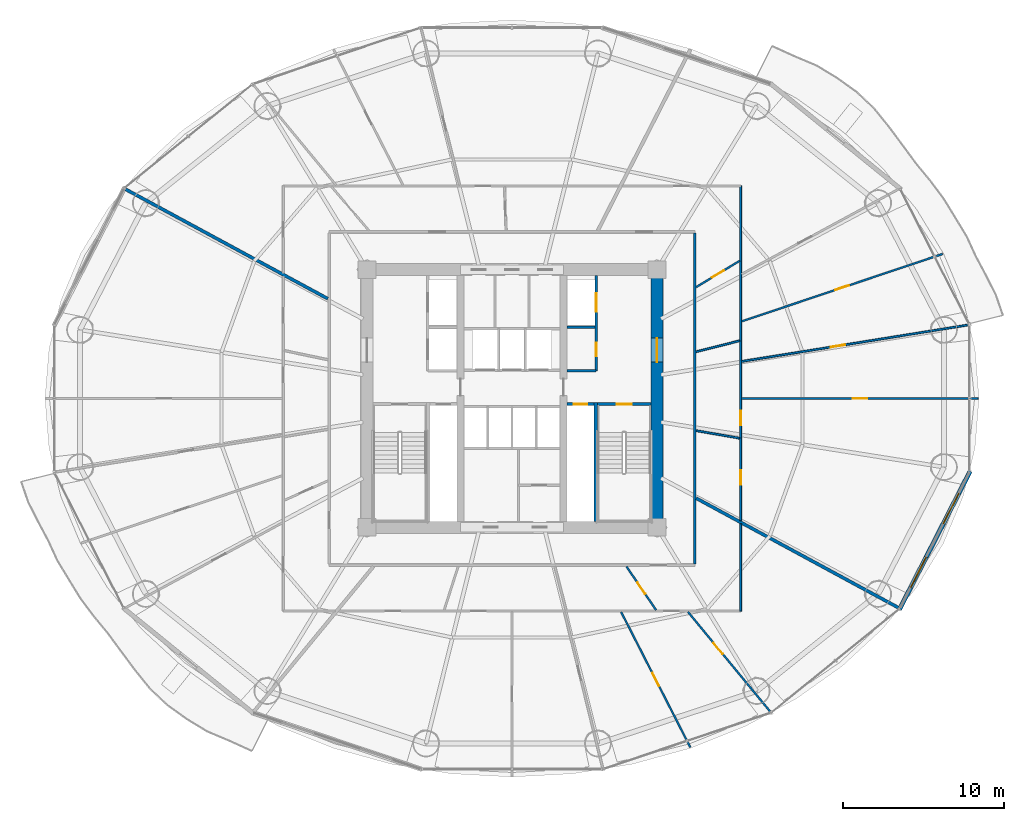
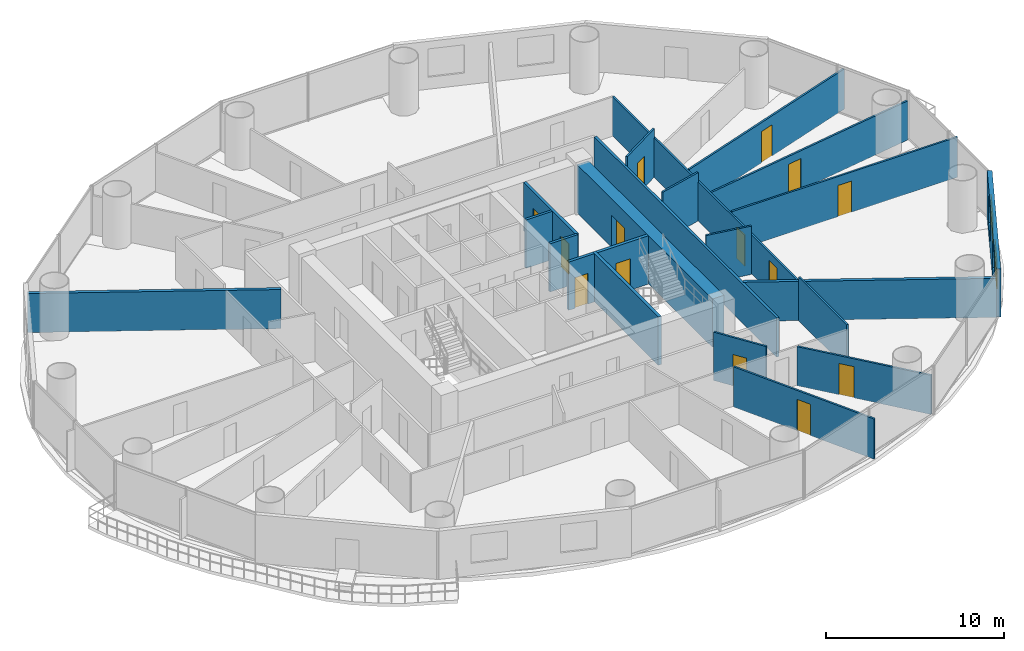
# One storey, part 24 of 29: 22 walls, 14 doors, 2 windows, 16 openings.
"""IFC4 building model written with IfcOpenShell, lengths in metres."""

from ifc_helpers import new_model, si_unit, direction, frame, frame_2d, origin, place, context, subcontext, project, spatial, rectangle, extrude, source, transform, mapped, material, layer, layer_set, type_object, element, fill, save


model = new_model("IFC4")

# Units and contexts
model_context = context("Model", 3, precision=1e-05, world=origin(), true_north=direction((-0.2419218956, 0.970295726276)))
body_context = subcontext(model_context, "Body", "Model", "MODEL_VIEW")
ifc_project = project(units=[si_unit("LENGTHUNIT", "METRE"), si_unit("AREAUNIT", "SQUARE_METRE"), si_unit("VOLUMEUNIT", "CUBIC_METRE"), si_unit("PLANEANGLEUNIT", "RADIAN"), si_unit("MASSUNIT", "GRAM", prefix="KILO")], contexts=[model_context])

# Site, building, storey
site_placement = place(None, origin())
site = spatial("IfcSite", under=ifc_project, at=site_placement, CompositionType="ELEMENT")
building_placement = place(site_placement, origin())
building = spatial("IfcBuilding", under=site, at=building_placement, Name="Cobrevalo Terracotta Tower", CompositionType="ELEMENT")
storey_placement = place(building_placement, frame((0.0, 0.0, 49.199951171875)))
storey = spatial("IfcBuildingStorey", under=building, at=storey_placement, Name="L12", CompositionType="ELEMENT", Elevation=49.199951171875)

# Wall, opening, door
ifc_material_1 = material(Name="Concrete C60", Category="concrete")
ifc_layer_1 = layer(ifc_material_1, 0.75)
ifc_layer_set_1 = layer_set([ifc_layer_1], Name="Concrete C60")
wall_type_1 = type_object("IfcWallType", Name="Core shear wall 750 mm Concrete C60", PredefinedType="SHEAR", material=ifc_layer_set_1)
wall_1_placement = place(storey_placement, frame((47.0, 19.175048828125, 0.0), z_axis=(0.0, 0.0, 1.0), x_axis=(0.0, 1.0, 0.0)))
wall_1 = element("IfcWall", 1, at=wall_1_placement, inside=storey, type_object=wall_type_1, Name="L12 east core shear wall", PredefinedType="SHEAR", context=body_context, shape_type="SweptSolid", body=[
    extrude(rectangle(XDim=15.25, YDim=0.75, at=frame_2d((7.625, 0.0))), origin(), (0.0, 0.0, 1.0), 3.320068359375),
])
opening_1_placement = place(wall_1_placement, frame((9.875, 0.0, 0.0)))
opening_1 = element("IfcOpeningElement", 2, at=opening_1_placement, cuts=wall_1, Name="Opening ID-14", PredefinedType="OPENING", context=body_context, shape_type="SweptSolid", body=[
    extrude(rectangle(XDim=1.5, YDim=2.199951171875, at=frame_2d((0.75, 1.10009765625))), frame((0.0, 0.385009765625, 0.0), z_axis=(0.0, -1.0, 0.0), x_axis=(1.0, 0.0, 0.0)), (0.0, 0.0, 1.0), 0.77001953125),
])
ifc_material_2 = material(Name="Galvanized fire-rated steel", Category="steel")
door_type_1 = type_object("IfcDoorType", Name="Core cross-lobby double fire door 1500x2200 EI 90", OperationType="NOTDEFINED", PredefinedType="DOOR", material=ifc_material_2)
shared_shape_1 = source(origin(), body_context, "Body", "SweptSolid", [
    extrude(rectangle(XDim=1.5, YDim=2.199951171875, at=frame_2d((0.75, 1.10009765625))), frame((0.0, 0.02490234375, 0.0), z_axis=(0.0, -1.0, 0.0), x_axis=(1.0, 0.0, 0.0)), (0.0, 0.0, 1.0), 0.050048828125),
])
door_1_placement = place(opening_1_placement, frame((1.5, 0.0, 0.0), z_axis=(0.0, 0.0, 1.0), x_axis=(-1.0, 0.0, 0.0)))
door_1 = element("IfcDoor", 3, at=door_1_placement, inside=storey, type_object=door_type_1, Name="L12 east firefighting lobby entrance door", OperationType="DOUBLE_DOOR_SINGLE_SWING", OverallHeight=2.199951171875, OverallWidth=1.5, PredefinedType="DOOR", context=body_context, shape_type="MappedRepresentation", body=[
    mapped(shared_shape_1, transform((0.0, 0.0, 0.0), scale=1.0)),
])
fill(opening_1, door_1)

# Walls
ifc_material_3 = material(Name="Gypsum board on steel stud", Category="steel")
ifc_layer_2 = layer(ifc_material_3, 0.159912109375)
ifc_layer_set_2 = layer_set([ifc_layer_2], Name="Gypsum board on steel stud")
wall_type_2 = type_object("IfcWallType", Name="Fire-rated corridor acoustic partition wall 160 mm", PredefinedType="PARTITIONING", material=ifc_layer_set_2)
wall_2_placement = place(storey_placement, frame((41.425048828125, 31.219970703125, 0.0), z_axis=(0.0, 0.0, 1.0), x_axis=(1.0, 0.0, 0.0)))
element("IfcWall", 4, at=wall_2_placement, inside=storey, type_object=wall_type_2, Name="L12 interior partition IW-L12-FF2-M", PredefinedType="PARTITIONING", context=body_context, shape_type="SweptSolid", body=[
    extrude(rectangle(XDim=1.71484375, YDim=0.159912109375, at=frame_2d((0.857421875, 0.0))), origin(), (0.0, 0.0, 1.0), 3.320068359375),
])
wall_3_placement = place(storey_placement, frame((41.425048828125, 28.52001953125, 0.0), z_axis=(0.0, 0.0, 1.0), x_axis=(1.0, 0.0, 0.0)))
element("IfcWall", 5, at=wall_3_placement, inside=storey, type_object=wall_type_2, Name="L12 interior partition IW-L12-FF2-S", PredefinedType="PARTITIONING", context=body_context, shape_type="SweptSolid", body=[
    extrude(rectangle(XDim=1.804931640625, YDim=0.159912109375, at=frame_2d((0.90234375, 0.0))), origin(), (0.0, 0.0, 1.0), 3.320068359375),
])
wall_4_placement = place(storey_placement, frame((49.35498046875, 16.52490234375, 0.0), z_axis=(0.0, 0.0, 1.0), x_axis=(0.0, 1.0, 0.0)))
element("IfcWall", 6, at=wall_4_placement, inside=storey, type_object=wall_type_2, Name="L12 interior partition IW-L12-COR-E", PredefinedType="PARTITIONING", context=body_context, shape_type="SweptSolid", body=[
    extrude(rectangle(XDim=20.550048828125, YDim=0.159912109375, at=frame_2d((10.27490234375, 0.0))), origin(), (0.0, 0.0, 1.0), 2.68798828125),
])

# Wall, opening, door
ifc_layer_3 = layer(ifc_material_3, 0.179931640625)
ifc_layer_set_3 = layer_set([ifc_layer_3], Name="Gypsum board on steel stud")
wall_type_3 = type_object("IfcWallType", Name="Fire-rated shaft & lobby acoustic partition wall 180 mm", PredefinedType="PARTITIONING", material=ifc_layer_set_3)
wall_5_placement = place(storey_placement, frame((41.425048828125, 26.449951171875, 0.0), z_axis=(0.0, 0.0, 1.0), x_axis=(1.0, 0.0, 0.0)))
wall_5 = element("IfcWall", 7, at=wall_5_placement, inside=storey, type_object=wall_type_3, Name="L12 interior partition IW-L12-RSE-N", PredefinedType="PARTITIONING", context=body_context, shape_type="SweptSolid", body=[
    extrude(rectangle(XDim=1.675048828125, YDim=0.179931640625, at=frame_2d((0.83740234375, 0.0))), origin(), (0.0, 0.0, 1.0), 3.320068359375),
])
opening_2_placement = place(wall_5_placement, frame((0.41259765625, 0.0, 0.0)))
opening_2 = element("IfcOpeningElement", 8, at=opening_2_placement, cuts=wall_5, Name="Opening ID-22", PredefinedType="OPENING", context=body_context, shape_type="SweptSolid", body=[
    extrude(rectangle(XDim=0.85009765625, YDim=2.10009765625, at=frame_2d((0.425048828125, 1.050048828125))), frame((0.0, 0.10009765625, 0.0), z_axis=(0.0, -1.0, 0.0), x_axis=(1.0, 0.0, 0.0)), (0.0, 0.0, 1.0), 0.199951171875),
])
ifc_material_4 = material(Name="Powder-coated steel", Category="steel")
door_type_2 = type_object("IfcDoorType", Name="Riser shaft & meter closet fire access door 850x2100 EI 60", OperationType="NOTDEFINED", PredefinedType="DOOR", material=ifc_material_4)
shared_shape_2 = source(origin(), body_context, "Body", "SweptSolid", [
    extrude(rectangle(XDim=0.85009765625, YDim=2.10009765625, at=frame_2d((0.425048828125, 1.050048828125))), frame((0.0, 0.02490234375, 0.0), z_axis=(0.0, -1.0, 0.0), x_axis=(1.0, 0.0, 0.0)), (0.0, 0.0, 1.0), 0.050048828125),
])
door_2_placement = place(opening_2_placement, origin())
door_2 = element("IfcDoor", 9, at=door_2_placement, inside=storey, type_object=door_type_2, Name="L12 riser access door RSE", OperationType="SINGLE_SWING_RIGHT", OverallHeight=2.10009765625, OverallWidth=0.85009765625, PredefinedType="DOOR", context=body_context, shape_type="MappedRepresentation", body=[
    mapped(shared_shape_2, transform((0.0, 0.0, 0.0), scale=1.0)),
])
fill(opening_2, door_2)

# Wall, openings, doors
wall_6_placement = place(storey_placement, frame((43.22998046875, 28.52001953125, 0.0), z_axis=(0.0, 0.0, 1.0), x_axis=(0.0, 1.0, 0.0)))
wall_6 = element("IfcWall", 10, at=wall_6_placement, inside=storey, type_object=wall_type_3, Name="L12 interior partition IW-L12-FF2-E", PredefinedType="PARTITIONING", context=body_context, shape_type="SweptSolid", body=[
    extrude(rectangle(XDim=5.905029296875, YDim=0.179931640625, at=frame_2d((2.95263671875, 0.0))), origin(), (0.0, 0.0, 1.0), 3.320068359375),
])
opening_3_placement = place(wall_6_placement, frame((0.905029296875, 0.0, 0.0)))
opening_3 = element("IfcOpeningElement", 11, at=opening_3_placement, cuts=wall_6, Name="Opening ID-22", PredefinedType="OPENING", context=body_context, shape_type="SweptSolid", body=[
    extrude(rectangle(XDim=0.85009765625, YDim=2.10009765625, at=frame_2d((0.425048828125, 1.050048828125))), frame((0.0, 0.10009765625, 0.0), z_axis=(0.0, -1.0, 0.0), x_axis=(1.0, 0.0, 0.0)), (0.0, 0.0, 1.0), 0.199951171875),
])
opening_4_placement = place(wall_6_placement, frame((3.655029296875, 0.0, 0.0)))
opening_4 = element("IfcOpeningElement", 12, at=opening_4_placement, cuts=wall_6, Name="Opening LD-02", PredefinedType="OPENING", context=body_context, shape_type="SweptSolid", body=[
    extrude(rectangle(XDim=1.14990234375, YDim=2.199951171875, at=frame_2d((0.574951171875, 1.10009765625))), frame((0.0, 0.10009765625, 0.0), z_axis=(0.0, -1.0, 0.0), x_axis=(1.0, 0.0, 0.0)), (0.0, 0.0, 1.0), 0.199951171875),
])
door_3_placement = place(opening_3_placement, frame((0.85009765625, 0.0, 0.0), z_axis=(0.0, 0.0, 1.0), x_axis=(-1.0, 0.0, 0.0)))
door_3 = element("IfcDoor", 13, at=door_3_placement, inside=storey, type_object=door_type_2, Name="L12 housekeeping store door", OperationType="SINGLE_SWING_RIGHT", OverallHeight=2.10009765625, OverallWidth=0.85009765625, PredefinedType="DOOR", context=body_context, shape_type="MappedRepresentation", body=[
    mapped(shared_shape_2, transform((0.0, 0.0, 0.0), scale=1.0)),
])
fill(opening_3, door_3)
ifc_material_5 = material(Name="Brushed stainless steel", Category="steel")
door_type_3 = type_object("IfcDoorType", Name="Firefighting lift landing bi-parting sliding door 1150x2200 EI 120", OperationType="DOUBLE_DOOR_SLIDING", PredefinedType="DOOR", material=ifc_material_5)
shared_shape_3 = source(origin(), body_context, "Body", "SweptSolid", [
    extrude(rectangle(XDim=1.14990234375, YDim=2.199951171875, at=frame_2d((0.574951171875, 1.10009765625))), frame((0.0, 0.02490234375, 0.0), z_axis=(0.0, -1.0, 0.0), x_axis=(1.0, 0.0, 0.0)), (0.0, 0.0, 1.0), 0.050048828125),
])
door_4_placement = place(opening_4_placement, origin())
door_4 = element("IfcDoor", 14, at=door_4_placement, inside=storey, type_object=door_type_3, Name="L12 lift landing door FF-2", OperationType="DOUBLE_DOOR_SLIDING", OverallHeight=2.199951171875, OverallWidth=1.14990234375, PredefinedType="DOOR", context=body_context, shape_type="MappedRepresentation", body=[
    mapped(shared_shape_3, transform((0.0, 0.0, 0.0), scale=1.0)),
])
fill(opening_4, door_4)

# Walls
ifc_material_6 = material(Name="Autoclaved aerated concrete block", Category="concrete")
ifc_layer_4 = layer(ifc_material_6, 0.199951171875)
ifc_layer_set_4 = layer_set([ifc_layer_4], Name="Autoclaved aerated concrete block")
wall_type_4 = type_object("IfcWallType", Name="Fire-rated stair, shaft & demising masonry wall 200 mm", PredefinedType="PARTITIONING", material=ifc_layer_set_4)
for number, where, z_axis, x_axis, name in (
    (15, (49.43505859375, 20.6083984375, 0.0), (0.0, 0.0, 1.0), (0.879369737803, -0.476139542819, 0.0), "L12 interior partition IW-L12-DEM-1"),
    (16, (26.56494140625, 32.991455078125, 0.0), (0.0, 0.0, 1.0), (-0.879369737803, 0.476139542819, 0.0), "L12 interior partition IW-L12-DEM-3"),
):
    element("IfcWall", number, at=place(storey_placement, frame(where, z_axis=z_axis, x_axis=x_axis)), inside=storey, type_object=wall_type_4, Name=name, PredefinedType="PARTITIONING", context=body_context, shape_type="SweptSolid", body=[
        extrude(rectangle(XDim=14.294921875, YDim=0.199951171875, at=frame_2d((7.1474609375, 0.0))), origin(), (0.0, 0.0, 1.0), 2.68798828125),
    ])

# Wall, openings, windows
ifc_layer_5 = layer(ifc_material_6, 0.280029296875)
ifc_layer_set_5 = layer_set([ifc_layer_5], Name="Autoclaved aerated concrete block")
wall_type_5 = type_object("IfcWallType", Name="Insulated tower spandrel & pier wall 280 mm with terracotta rainscreen", PredefinedType="SOLIDWALL", material=ifc_layer_set_5)
wall_7_placement = place(storey_placement, frame((62.05126953125, 13.689453125, 0.0), z_axis=(0.0, 0.0, 1.0), x_axis=(0.455220575541, 0.890378698984, 0.0)))
wall_7 = element("IfcWall", 17, at=wall_7_placement, inside=storey, type_object=wall_type_5, Name="L12 terracotta rainscreen pier wall S15", PredefinedType="SOLIDWALL", context=body_context, shape_type="SweptSolid", body=[
    extrude(rectangle(XDim=9.662109375, YDim=0.280029296875, at=frame_2d((4.8310546875, 0.0))), origin(), (0.0, 0.0, 1.0), 3.320068359375),
])
opening_5_placement = place(wall_7_placement, frame((1.558837890625, 0.0, 0.85009765625)))
opening_5 = element("IfcOpeningElement", 18, at=opening_5_placement, cuts=wall_7, Name="Opening WN-10", PredefinedType="OPENING", context=body_context, shape_type="SweptSolid", body=[
    extrude(rectangle(XDim=2.10009765625, YDim=1.949951171875, at=frame_2d((1.050048828125, 0.97509765625))), frame((0.0, 0.14990234375, 0.0), z_axis=(0.0, -1.0, 0.0), x_axis=(1.0, 0.0, 0.0)), (0.0, 0.0, 1.0), 0.300048828125),
])
opening_6_placement = place(wall_7_placement, frame((6.00341796875, 0.0, 0.85009765625)))
opening_6 = element("IfcOpeningElement", 19, at=opening_6_placement, cuts=wall_7, Name="Opening WN-10", PredefinedType="OPENING", context=body_context, shape_type="SweptSolid", body=[
    extrude(rectangle(XDim=2.10009765625, YDim=1.949951171875, at=frame_2d((1.050048828125, 0.97509765625))), frame((0.0, 0.14990234375, 0.0), z_axis=(0.0, -1.0, 0.0), x_axis=(1.0, 0.0, 0.0)), (0.0, 0.0, 1.0), 0.300048828125),
])
ifc_material_7 = material(Name="Solar-control low-E double glazing", Category="glass")
window_type = type_object("IfcWindowType", Name="Wide panoramic low-E aluminium window 2100x1950", PartitioningType="SINGLE_PANEL", PredefinedType="WINDOW", material=ifc_material_7)
shared_shape_4 = source(origin(), body_context, "Body", "SweptSolid", [
    extrude(rectangle(XDim=2.10009765625, YDim=1.949951171875, at=frame_2d((1.050048828125, 0.97509765625))), frame((0.0, 0.030029296875, 0.0), z_axis=(0.0, -1.0, 0.0), x_axis=(1.0, 0.0, 0.0)), (0.0, 0.0, 1.0), 0.06005859375),
])
window_1_placement = place(opening_5_placement, origin())
window_1 = element("IfcWindow", 20, at=window_1_placement, inside=storey, type_object=window_type, Name="L12 suite window S15A", OverallHeight=1.949951171875, OverallWidth=2.10009765625, PartitioningType="SINGLE_PANEL", PredefinedType="WINDOW", context=body_context, shape_type="MappedRepresentation", body=[
    mapped(shared_shape_4, transform((0.0, 0.0, 0.0), scale=1.0)),
])
fill(opening_5, window_1)
window_2_placement = place(opening_6_placement, origin())
window_2 = element("IfcWindow", 21, at=window_2_placement, inside=storey, type_object=window_type, Name="L12 suite window S15B", OverallHeight=1.949951171875, OverallWidth=2.10009765625, PartitioningType="SINGLE_PANEL", PredefinedType="WINDOW", context=body_context, shape_type="MappedRepresentation", body=[
    mapped(shared_shape_4, transform((0.0, 0.0, 0.0), scale=1.0)),
])
fill(opening_6, window_2)

# Wall, openings, doors
ifc_layer_6 = layer(ifc_material_3, 0.1201171875)
ifc_layer_set_6 = layer_set([ifc_layer_6], Name="Gypsum board on steel stud")
wall_type_6 = type_object("IfcWallType", Name="Residential internal acoustic stud partition 120 mm", PredefinedType="PARTITIONING", material=ifc_layer_set_6)
wall_8_placement = place(storey_placement, frame((52.195068359375, 39.9951171875, 0.0), z_axis=(0.0, 0.0, 1.0), x_axis=(0.0, -1.0, 0.0)))
wall_8 = element("IfcWall", 22, at=wall_8_placement, inside=storey, type_object=wall_type_6, Name="L12 interior partition IW-L12-U1-RING1_0", PredefinedType="PARTITIONING", context=body_context, shape_type="SweptSolid", body=[
    extrude(rectangle(XDim=20.779052734375, YDim=0.1201171875, at=frame_2d((10.3896484375, 0.0))), origin(), (0.0, 0.0, 1.0), 2.68798828125),
])
opening_7_placement = place(wall_8_placement, frame((13.944091796875, 0.0, 0.0)))
opening_7 = element("IfcOpeningElement", 23, at=opening_7_placement, cuts=wall_8, Name="Opening ID-12", PredefinedType="OPENING", context=body_context, shape_type="SweptSolid", body=[
    extrude(rectangle(XDim=0.89990234375, YDim=2.14990234375, at=frame_2d((0.449951171875, 1.074951171875))), frame((0.0, 0.070068359375, 0.0), z_axis=(0.0, -1.0, 0.0), x_axis=(1.0, 0.0, 0.0)), (0.0, 0.0, 1.0), 0.14013671875),
])
opening_8_placement = place(wall_8_placement, frame((17.654541015625, 0.0, 0.0)))
opening_8 = element("IfcOpeningElement", 24, at=opening_8_placement, cuts=wall_8, Name="Opening ID-12", PredefinedType="OPENING", context=body_context, shape_type="SweptSolid", body=[
    extrude(rectangle(XDim=0.89990234375, YDim=2.14990234375, at=frame_2d((0.449951171875, 1.074951171875))), frame((0.0, 0.070068359375, 0.0), z_axis=(0.0, -1.0, 0.0), x_axis=(1.0, 0.0, 0.0)), (0.0, 0.0, 1.0), 0.14013671875),
])
ifc_material_8 = material(Name="Engineered timber", Category="wood")
door_type_4 = type_object("IfcDoorType", Name="Internal residence & suite timber door 900x2150", OperationType="NOTDEFINED", PredefinedType="DOOR", material=ifc_material_8)
shared_shape_5 = source(origin(), body_context, "Body", "SweptSolid", [
    extrude(rectangle(XDim=0.89990234375, YDim=2.14990234375, at=frame_2d((0.449951171875, 1.074951171875))), frame((0.0, 0.02490234375, 0.0), z_axis=(0.0, -1.0, 0.0), x_axis=(1.0, 0.0, 0.0)), (0.0, 0.0, 1.0), 0.050048828125),
])
door_5_placement = place(opening_7_placement, frame((0.89990234375, 0.0, 0.0), z_axis=(0.0, 0.0, 1.0), x_axis=(-1.0, 0.0, 0.0)))
door_5 = element("IfcDoor", 25, at=door_5_placement, inside=storey, type_object=door_type_4, Name="Flat L12A Kitchen internal door", OperationType="SINGLE_SWING_LEFT", OverallHeight=2.14990234375, OverallWidth=0.89990234375, PredefinedType="DOOR", context=body_context, shape_type="MappedRepresentation", body=[
    mapped(shared_shape_5, transform((0.0, 0.0, 0.0), scale=1.0)),
])
fill(opening_7, door_5)
door_6_placement = place(opening_8_placement, frame((0.89990234375, 0.0, 0.0), z_axis=(0.0, 0.0, 1.0), x_axis=(-1.0, 0.0, 0.0)))
door_6 = element("IfcDoor", 26, at=door_6_placement, inside=storey, type_object=door_type_4, Name="Flat L12A Home Office Study internal door", OperationType="SINGLE_SWING_RIGHT", OverallHeight=2.14990234375, OverallWidth=0.89990234375, PredefinedType="DOOR", context=body_context, shape_type="MappedRepresentation", body=[
    mapped(shared_shape_5, transform((0.0, 0.0, 0.0), scale=1.0)),
])
fill(opening_8, door_6)

# Wall, opening, door
wall_9_placement = place(storey_placement, frame((52.257080078125, 26.800048828125, 0.0), z_axis=(0.0, 0.0, 1.0), x_axis=(1.0, 0.0, 0.0)))
wall_9 = element("IfcWall", 27, at=wall_9_placement, inside=storey, type_object=wall_type_6, Name="L12 interior partition IW-L12-U1-ORAD1", PredefinedType="PARTITIONING", context=body_context, shape_type="SweptSolid", body=[
    extrude(rectangle(XDim=14.682861328125, YDim=0.1201171875, at=frame_2d((7.34130859375, 0.0))), origin(), (0.0, 0.0, 1.0), 2.761962890625),
])
opening_9_placement = place(wall_9_placement, frame((6.8916015625, 0.0, 0.0)))
opening_9 = element("IfcOpeningElement", 28, at=opening_9_placement, cuts=wall_9, Name="Opening ID-12", PredefinedType="OPENING", context=body_context, shape_type="SweptSolid", body=[
    extrude(rectangle(XDim=0.89990234375, YDim=2.14990234375, at=frame_2d((0.449951171875, 1.074951171875))), frame((0.0, 0.070068359375, 0.0), z_axis=(0.0, -1.0, 0.0), x_axis=(1.0, 0.0, 0.0)), (0.0, 0.0, 1.0), 0.14013671875),
])
door_7_placement = place(opening_9_placement, frame((0.89990234375, 0.0, 0.0), z_axis=(0.0, 0.0, 1.0), x_axis=(-1.0, 0.0, 0.0)))
door_7 = element("IfcDoor", 29, at=door_7_placement, inside=storey, type_object=door_type_4, Name="Flat L12A Penthouse Living and Dining Room internal door", OperationType="SINGLE_SWING_RIGHT", OverallHeight=2.14990234375, OverallWidth=0.89990234375, PredefinedType="DOOR", context=body_context, shape_type="MappedRepresentation", body=[
    mapped(shared_shape_5, transform((0.0, 0.0, 0.0), scale=1.0)),
])
fill(opening_9, door_7)

wall_10_placement = place(storey_placement, frame((52.256103515625, 29.097900390625, 0.0), z_axis=(0.0, 0.0, 1.0), x_axis=(0.987257017041, 0.159133850272, 0.0)))
wall_10 = element("IfcWall", 30, at=wall_10_placement, inside=storey, type_object=wall_type_6, Name="L12 interior partition IW-L12-U1-ORAD2M1", PredefinedType="PARTITIONING", context=body_context, shape_type="SweptSolid", body=[
    extrude(rectangle(XDim=14.248046875, YDim=0.1201171875, at=frame_2d((7.1240234375, 0.0))), origin(), (0.0, 0.0, 1.0), 2.68798828125),
])
opening_10_placement = place(wall_10_placement, frame((5.603271484375, 0.0, 0.0)))
opening_10 = element("IfcOpeningElement", 31, at=opening_10_placement, cuts=wall_10, Name="Opening ID-12", PredefinedType="OPENING", context=body_context, shape_type="SweptSolid", body=[
    extrude(rectangle(XDim=0.89990234375, YDim=2.14990234375, at=frame_2d((0.449951171875, 1.074951171875))), frame((0.0, 0.070068359375, 0.0), z_axis=(0.0, -1.0, 0.0), x_axis=(1.0, 0.0, 0.0)), (0.0, 0.0, 1.0), 0.14013671875),
])
door_8_placement = place(opening_10_placement, frame((0.89990234375, 0.0, 0.0), z_axis=(0.0, 0.0, 1.0), x_axis=(-1.0, 0.0, 0.0)))
door_8 = element("IfcDoor", 32, at=door_8_placement, inside=storey, type_object=door_type_4, Name="Flat L12A Master Bedroom internal door", OperationType="SINGLE_SWING_LEFT", OverallHeight=2.14990234375, OverallWidth=0.89990234375, PredefinedType="DOOR", context=body_context, shape_type="MappedRepresentation", body=[
    mapped(shared_shape_5, transform((0.0, 0.0, 0.0), scale=1.0)),
])
fill(opening_10, door_8)

wall_11_placement = place(storey_placement, frame((52.253662109375, 31.58447265625, 0.0), z_axis=(0.0, 0.0, 1.0), x_axis=(0.948022802246, 0.318202398516, 0.0)))
wall_11 = element("IfcWall", 33, at=wall_11_placement, inside=storey, type_object=wall_type_6, Name="L12 interior partition IW-L12-U1-ORAD2", PredefinedType="PARTITIONING", context=body_context, shape_type="SweptSolid", body=[
    extrude(rectangle(XDim=13.162841796875, YDim=0.1201171875, at=frame_2d((6.58154296875, 0.0))), origin(), (0.0, 0.0, 1.0), 2.761962890625),
])
opening_11_placement = place(wall_11_placement, frame((6.13134765625, 0.0, 0.0)))
opening_11 = element("IfcOpeningElement", 34, at=opening_11_placement, cuts=wall_11, Name="Opening ID-12", PredefinedType="OPENING", context=body_context, shape_type="SweptSolid", body=[
    extrude(rectangle(XDim=0.89990234375, YDim=2.14990234375, at=frame_2d((0.449951171875, 1.074951171875))), frame((0.0, 0.070068359375, 0.0), z_axis=(0.0, -1.0, 0.0), x_axis=(1.0, 0.0, 0.0)), (0.0, 0.0, 1.0), 0.14013671875),
])
door_9_placement = place(opening_11_placement, frame((0.89990234375, 0.0, 0.0), z_axis=(0.0, 0.0, 1.0), x_axis=(-1.0, 0.0, 0.0)))
door_9 = element("IfcDoor", 35, at=door_9_placement, inside=storey, type_object=door_type_4, Name="Flat L12A Principal Guest Bedroom internal door", OperationType="SINGLE_SWING_RIGHT", OverallHeight=2.14990234375, OverallWidth=0.89990234375, PredefinedType="DOOR", context=body_context, shape_type="MappedRepresentation", body=[
    mapped(shared_shape_5, transform((0.0, 0.0, 0.0), scale=1.0)),
])
fill(opening_11, door_9)

# Walls
wall_12_placement = place(storey_placement, frame((49.43505859375, 24.80322265625, 0.0), z_axis=(0.0, 0.0, 1.0), x_axis=(0.985100365489, -0.171980434681, 0.0)))
element("IfcWall", 36, at=wall_12_placement, inside=storey, type_object=wall_type_6, Name="L12 interior partition IW-L12-U1-IRAD1", PredefinedType="PARTITIONING", context=body_context, shape_type="SweptSolid", body=[
    extrude(rectangle(XDim=2.73974609375, YDim=0.1201171875, at=frame_2d((1.369873046875, 0.0))), origin(), (0.0, 0.0, 1.0), 3.320068359375),
])
wall_13_placement = place(storey_placement, frame((49.43505859375, 29.69873046875, 0.0), z_axis=(0.0, 0.0, 1.0), x_axis=(0.969327617988, 0.245772189243, 0.0)))
element("IfcWall", 37, at=wall_13_placement, inside=storey, type_object=wall_type_6, Name="L12 interior partition IW-L12-U1-IRAD2", PredefinedType="PARTITIONING", context=body_context, shape_type="SweptSolid", body=[
    extrude(rectangle(XDim=2.785400390625, YDim=0.1201171875, at=frame_2d((1.392578125, 0.0))), origin(), (0.0, 0.0, 1.0), 3.320068359375),
])

# Wall, opening, door
wall_14_placement = place(storey_placement, frame((49.43505859375, 33.7138671875, 0.0), z_axis=(0.0, 0.0, 1.0), x_axis=(0.855724035959, 0.517432482824, 0.0)))
wall_14 = element("IfcWall", 38, at=wall_14_placement, inside=storey, type_object=wall_type_6, Name="L12 interior partition IW-L12-U1-IRAD3", PredefinedType="PARTITIONING", context=body_context, shape_type="SweptSolid", body=[
    extrude(rectangle(XDim=3.1630859375, YDim=0.1201171875, at=frame_2d((1.58154296875, 0.0))), origin(), (0.0, 0.0, 1.0), 3.320068359375),
])
opening_12_placement = place(wall_14_placement, frame((1.151611328125, 0.0, 0.0)))
opening_12 = element("IfcOpeningElement", 39, at=opening_12_placement, cuts=wall_14, Name="Opening ID-19", PredefinedType="OPENING", context=body_context, shape_type="SweptSolid", body=[
    extrude(rectangle(XDim=0.860107421875, YDim=2.14990234375, at=frame_2d((0.43017578125, 1.074951171875))), frame((0.0, 0.070068359375, 0.0), z_axis=(0.0, -1.0, 0.0), x_axis=(1.0, 0.0, 0.0)), (0.0, 0.0, 1.0), 0.14013671875),
])
ifc_material_9 = material(Name="Moisture-sealed timber", Category="wood")
door_type_5 = type_object("IfcDoorType", Name="Suite bathroom internal timber door 860x2150", OperationType="NOTDEFINED", PredefinedType="DOOR", material=ifc_material_9)
shared_shape_6 = source(origin(), body_context, "Body", "SweptSolid", [
    extrude(rectangle(XDim=0.860107421875, YDim=2.14990234375, at=frame_2d((0.43017578125, 1.074951171875))), frame((0.0, 0.02490234375, 0.0), z_axis=(0.0, -1.0, 0.0), x_axis=(1.0, 0.0, 0.0)), (0.0, 0.0, 1.0), 0.050048828125),
])
door_10_placement = place(opening_12_placement, frame((0.860107421875, 0.0, 0.0), z_axis=(0.0, 0.0, 1.0), x_axis=(-1.0, 0.0, 0.0)))
door_10 = element("IfcDoor", 40, at=door_10_placement, inside=storey, type_object=door_type_5, Name="Flat L12A Primary Bathroom internal door", OperationType="SINGLE_SWING_LEFT", OverallHeight=2.14990234375, OverallWidth=0.860107421875, PredefinedType="DOOR", context=body_context, shape_type="MappedRepresentation", body=[
    mapped(shared_shape_6, transform((0.0, 0.0, 0.0), scale=1.0)),
])
fill(opening_12, door_10)

# Wall
wall_15_placement = place(storey_placement, frame((52.195068359375, 19.011962890625, 0.0), z_axis=(0.0, 0.0, 1.0), x_axis=(0.0, -1.0, 0.0)))
element("IfcWall", 41, at=wall_15_placement, inside=storey, type_object=wall_type_6, Name="L12 interior partition IW-L12-U4-RING0_0", PredefinedType="PARTITIONING", context=body_context, shape_type="SweptSolid", body=[
    extrude(rectangle(XDim=5.406982421875, YDim=0.1201171875, at=frame_2d((2.70361328125, 0.0))), origin(), (0.0, 0.0, 1.0), 2.9990234375),
])

# Wall, opening, door
wall_16_placement = place(storey_placement, frame((44.77294921875, 13.5498046875, 0.0), z_axis=(0.0, 0.0, 1.0), x_axis=(0.455131567849, -0.890424200001, 0.0)))
wall_16 = element("IfcWall", 42, at=wall_16_placement, inside=storey, type_object=wall_type_6, Name="L12 interior partition IW-L12-U4-ORAD2M2", PredefinedType="PARTITIONING", context=body_context, shape_type="SweptSolid", body=[
    extrude(rectangle(XDim=9.438720703125, YDim=0.1201171875, at=frame_2d((4.71923828125, 0.0))), origin(), (0.0, 0.0, 1.0), 2.761962890625),
])
opening_13_placement = place(wall_16_placement, frame((4.269287109375, 0.0, 0.0)))
opening_13 = element("IfcOpeningElement", 43, at=opening_13_placement, cuts=wall_16, Name="Opening ID-12", PredefinedType="OPENING", context=body_context, shape_type="SweptSolid", body=[
    extrude(rectangle(XDim=0.89990234375, YDim=2.14990234375, at=frame_2d((0.449951171875, 1.074951171875))), frame((0.0, 0.070068359375, 0.0), z_axis=(0.0, -1.0, 0.0), x_axis=(1.0, 0.0, 0.0)), (0.0, 0.0, 1.0), 0.14013671875),
])
door_11_placement = place(opening_13_placement, frame((0.89990234375, 0.0, 0.0), z_axis=(0.0, 0.0, 1.0), x_axis=(-1.0, 0.0, 0.0)))
door_11 = element("IfcDoor", 44, at=door_11_placement, inside=storey, type_object=door_type_4, Name="Flat L12D Principal Guest Bedroom internal door", OperationType="SINGLE_SWING_LEFT", OverallHeight=2.14990234375, OverallWidth=0.89990234375, PredefinedType="DOOR", context=body_context, shape_type="MappedRepresentation", body=[
    mapped(shared_shape_5, transform((0.0, 0.0, 0.0), scale=1.0)),
])
fill(opening_13, door_11)

wall_17_placement = place(storey_placement, frame((48.91943359375, 13.55712890625, 0.0), z_axis=(0.0, 0.0, 1.0), x_axis=(0.636193310573, -0.771529695852, 0.0)))
wall_17 = element("IfcWall", 45, at=wall_17_placement, inside=storey, type_object=wall_type_6, Name="L12 interior partition IW-L12-U4-ORAD2", PredefinedType="PARTITIONING", context=body_context, shape_type="SweptSolid", body=[
    extrude(rectangle(XDim=8.0439453125, YDim=0.1201171875, at=frame_2d((4.02197265625, 0.0))), origin(), (0.0, 0.0, 1.0), 2.68798828125),
])
opening_14_placement = place(wall_17_placement, frame((2.50830078125, 0.0, 0.0)))
opening_14 = element("IfcOpeningElement", 46, at=opening_14_placement, cuts=wall_17, Name="Opening ID-12", PredefinedType="OPENING", context=body_context, shape_type="SweptSolid", body=[
    extrude(rectangle(XDim=0.89990234375, YDim=2.14990234375, at=frame_2d((0.449951171875, 1.074951171875))), frame((0.0, 0.070068359375, 0.0), z_axis=(0.0, -1.0, 0.0), x_axis=(1.0, 0.0, 0.0)), (0.0, 0.0, 1.0), 0.14013671875),
])
door_12_placement = place(opening_14_placement, origin())
door_12 = element("IfcDoor", 47, at=door_12_placement, inside=storey, type_object=door_type_4, Name="Flat L12D Penthouse Family Lounge internal door", OperationType="SINGLE_SWING_RIGHT", OverallHeight=2.14990234375, OverallWidth=0.89990234375, PredefinedType="DOOR", context=body_context, shape_type="MappedRepresentation", body=[
    mapped(shared_shape_5, transform((0.0, 0.0, 0.0), scale=1.0)),
])
fill(opening_14, door_12)

wall_18_placement = place(storey_placement, frame((45.107666015625, 16.364990234375, 0.0), z_axis=(0.0, 0.0, 1.0), x_axis=(0.562992379509, -0.826462086617, 0.0)))
wall_18 = element("IfcWall", 48, at=wall_18_placement, inside=storey, type_object=wall_type_6, Name="L12 interior partition IW-L12-U4-IRAD3", PredefinedType="PARTITIONING", context=body_context, shape_type="SweptSolid", body=[
    extrude(rectangle(XDim=3.277587890625, YDim=0.1201171875, at=frame_2d((1.638671875, 0.0))), origin(), (0.0, 0.0, 1.0), 3.320068359375),
])
opening_15_placement = place(wall_18_placement, frame((1.208740234375, 0.0, 0.0)))
opening_15 = element("IfcOpeningElement", 49, at=opening_15_placement, cuts=wall_18, Name="Opening ID-19", PredefinedType="OPENING", context=body_context, shape_type="SweptSolid", body=[
    extrude(rectangle(XDim=0.860107421875, YDim=2.14990234375, at=frame_2d((0.43017578125, 1.074951171875))), frame((0.0, 0.070068359375, 0.0), z_axis=(0.0, -1.0, 0.0), x_axis=(1.0, 0.0, 0.0)), (0.0, 0.0, 1.0), 0.14013671875),
])
door_13_placement = place(opening_15_placement, frame((0.860107421875, 0.0, 0.0), z_axis=(0.0, 0.0, 1.0), x_axis=(-1.0, 0.0, 0.0)))
door_13 = element("IfcDoor", 50, at=door_13_placement, inside=storey, type_object=door_type_5, Name="Flat L12D Primary Bathroom internal door", OperationType="SINGLE_SWING_RIGHT", OverallHeight=2.14990234375, OverallWidth=0.860107421875, PredefinedType="DOOR", context=body_context, shape_type="MappedRepresentation", body=[
    mapped(shared_shape_6, transform((0.0, 0.0, 0.0), scale=1.0)),
])
fill(opening_15, door_13)

# Wall
ifc_material_10 = material(Name="Concrete C50", Category="concrete")
ifc_layer_7 = layer(ifc_material_10, 0.199951171875)
ifc_layer_set_7 = layer_set([ifc_layer_7], Name="Concrete C50")
wall_type_7 = type_object("IfcWallType", Name="Structural core & podium stair-shaft RC wall 200 mm Concrete C50", PredefinedType="SOLIDWALL", material=ifc_layer_set_7)
wall_19_placement = place(storey_placement, frame((43.205078125, 19.175048828125, 0.0), z_axis=(0.0, 0.0, 1.0), x_axis=(0.0, 1.0, 0.0)))
element("IfcWall", 51, at=wall_19_placement, inside=storey, type_object=wall_type_7, Name="L12 ST-2 west structural shaft wall", PredefinedType="SOLIDWALL", context=body_context, shape_type="SweptSolid", body=[
    extrude(rectangle(XDim=7.375, YDim=0.199951171875, at=frame_2d((3.6875, 0.0))), origin(), (0.0, 0.0, 1.0), 3.320068359375),
])

# Wall, opening, door
wall_20_placement = place(storey_placement, frame((43.304931640625, 26.449951171875, 0.0), z_axis=(0.0, 0.0, 1.0), x_axis=(1.0, 0.0, 0.0)))
wall_20 = element("IfcWall", 52, at=wall_20_placement, inside=storey, type_object=wall_type_7, Name="L12 ST-2 north structural shaft wall", PredefinedType="SOLIDWALL", context=body_context, shape_type="SweptSolid", body=[
    extrude(rectangle(XDim=3.320068359375, YDim=0.199951171875, at=frame_2d((1.66015625, 0.0))), origin(), (0.0, 0.0, 1.0), 3.320068359375),
])
opening_16_placement = place(wall_20_placement, frame((1.18505859375, 0.0, 0.0)))
opening_16 = element("IfcOpeningElement", 53, at=opening_16_placement, cuts=wall_20, Name="Opening ID-04", PredefinedType="OPENING", context=body_context, shape_type="SweptSolid", body=[
    extrude(rectangle(XDim=0.949951171875, YDim=2.14990234375, at=frame_2d((0.47509765625, 1.074951171875))), frame((0.0, 0.10986328125, 0.0), z_axis=(0.0, -1.0, 0.0), x_axis=(1.0, 0.0, 0.0)), (0.0, 0.0, 1.0), 0.219970703125),
])
door_type_6 = type_object("IfcDoorType", Name="Stair & firefighting lobby fire door 950x2150 EI 90", OperationType="NOTDEFINED", PredefinedType="DOOR", material=ifc_material_2)
shared_shape_7 = source(origin(), body_context, "Body", "SweptSolid", [
    extrude(rectangle(XDim=0.949951171875, YDim=2.14990234375, at=frame_2d((0.47509765625, 1.074951171875))), frame((0.0, 0.02490234375, 0.0), z_axis=(0.0, -1.0, 0.0), x_axis=(1.0, 0.0, 0.0)), (0.0, 0.0, 1.0), 0.050048828125),
])
door_14_placement = place(opening_16_placement, frame((0.949951171875, 0.0, 0.0), z_axis=(0.0, 0.0, 1.0), x_axis=(-1.0, 0.0, 0.0)))
door_14 = element("IfcDoor", 54, at=door_14_placement, inside=storey, type_object=door_type_6, Name="L12 protected stair ST2 fire door", OperationType="SINGLE_SWING_RIGHT", OverallHeight=2.14990234375, OverallWidth=0.949951171875, PredefinedType="DOOR", context=body_context, shape_type="MappedRepresentation", body=[
    mapped(shared_shape_7, transform((0.0, 0.0, 0.0), scale=1.0)),
])
fill(opening_16, door_14)

save(model, "model.ifc")
